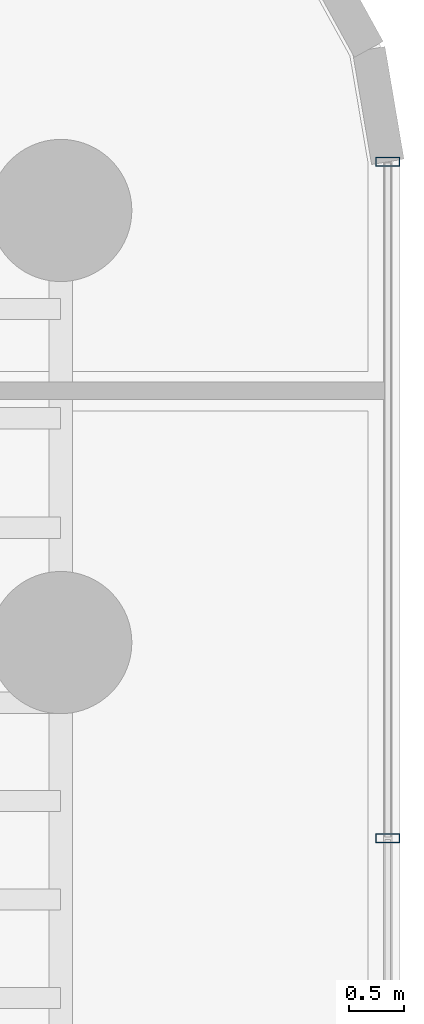
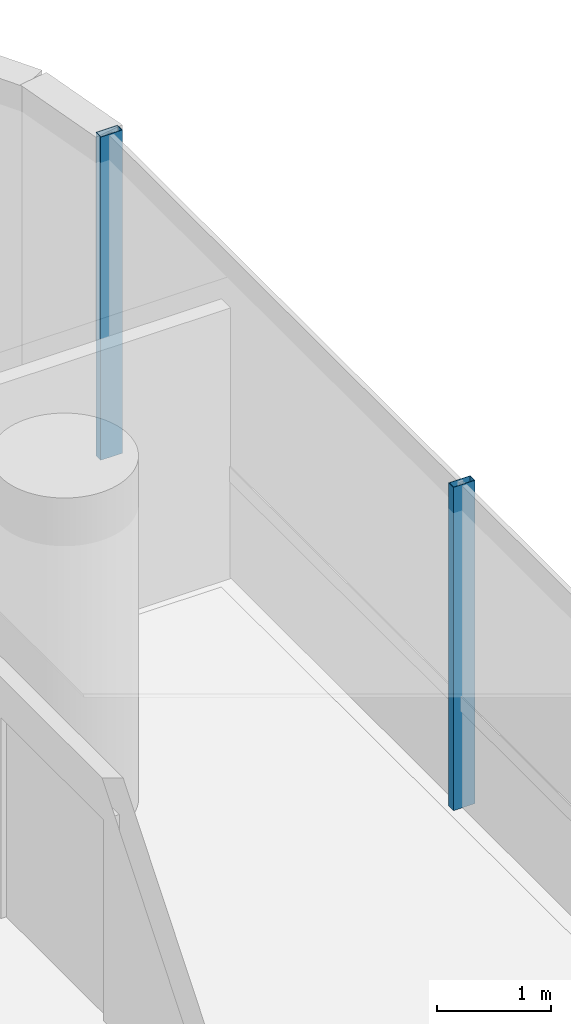
# One storey, part 28 of 42: 2 members, 1 element without a shape of its own.
"""IFC4 building model written with IfcOpenShell, lengths in metres."""

import ifcopenshell
import ifcopenshell.guid

model = None  # the IFC model being written
_history = None  # IfcOwnerHistory: only IFC2X3 demands one
_inside = {}  # id of a spatial element -> (the spatial element, [elements in it])
_under = {}  # id of a project, library or spatial element -> (it, [spatial elements below it])
_declared = {}  # id of a project -> (the project, [libraries it declares])
_typed = {}  # id of a type object -> (the type object, [elements of that type])
_made_of = {}  # id of a material, layer set ... -> (it, [elements and type objects made of it])


def new_model(schema):
    """Start an empty IFC model of exactly this schema.

    Asked for "IFC4X3", IfcOpenShell would pick the latest addendum, in which some entities
    have other attributes; the version numbers below select the first issue.
    IFC2X3 requires an IfcOwnerHistory on every rooted entity: one is made here for all.
    """
    global model, _history
    if schema == "IFC4X3":
        model = ifcopenshell.file(schema_version=(4, 3, 0, 0))
    else:
        model = ifcopenshell.file(schema=schema)
    _inside.clear()
    _under.clear()
    _declared.clear()
    _typed.clear()
    _made_of.clear()
    _history = None
    if model.schema == "IFC2X3":
        org = make("IfcOrganization", Name="unknown")
        user = make(
            "IfcPersonAndOrganization",
            ThePerson=make("IfcPerson", FamilyName="unknown"),
            TheOrganization=org,
        )
        app = make(
            "IfcApplication",
            ApplicationDeveloper=org,
            Version="unknown",
            ApplicationFullName="unknown",
            ApplicationIdentifier="unknown",
        )
        _history = make(
            "IfcOwnerHistory",
            OwningUser=user,
            OwningApplication=app,
            ChangeAction="ADDED",
            CreationDate=0,
        )
    return model


def make(cls, **values):
    """One entity of the class cls with the attributes given. An attribute that is None is left unset."""
    return model.create_entity(
        cls, **{name: value for name, value in values.items() if value is not None}
    )


def rooted(cls, **values):
    """An entity with a GlobalId (a new one), such as an element, a storey or a relation."""
    return make(cls, GlobalId=ifcopenshell.guid.new(), OwnerHistory=_history, **values)


def si_unit(unit_type, name, prefix=None):
    """IfcSIUnit, for example si_unit("LENGTHUNIT", "METRE", prefix="MILLI")."""
    return make("IfcSIUnit", UnitType=unit_type, Prefix=prefix, Name=name)


def assignment(units):
    """IfcUnitAssignment: the units of a project."""
    return None if units is None else make("IfcUnitAssignment", Units=units)


def point(xyz):
    """IfcCartesianPoint."""
    return None if xyz is None else make("IfcCartesianPoint", Coordinates=xyz)


def direction(xyz):
    """IfcDirection."""
    return None if xyz is None else make("IfcDirection", DirectionRatios=xyz)


def frame(location, z_axis=None, x_axis=None):
    """IfcAxis2Placement3D, a coordinate frame: its origin and axes. An axis left out is left unset."""
    return make(
        "IfcAxis2Placement3D",
        Location=point(location),
        Axis=direction(z_axis),
        RefDirection=direction(x_axis),
    )


def frame_2d(location, x_axis=None):
    """IfcAxis2Placement2D, a coordinate frame in the plane: its origin and x axis."""
    return make(
        "IfcAxis2Placement2D", Location=point(location), RefDirection=direction(x_axis)
    )


def origin():
    """The frame at (0, 0, 0) with its axes left unset."""
    return frame((0.0, 0.0, 0.0))


def origin_2d():
    """The frame at (0, 0) in the plane with its x axis left unset."""
    return frame_2d((0.0, 0.0))


def place(relative_to, where):
    """IfcLocalPlacement: puts the frame where relative to a parent placement (None: the world)."""
    return make(
        "IfcLocalPlacement", PlacementRelTo=relative_to, RelativePlacement=where
    )


def context(
    kind, dimensions, precision=None, world=None, true_north=None, identifier=None
):
    """IfcGeometricRepresentationContext, for example the 3D "Model" context."""
    return make(
        "IfcGeometricRepresentationContext",
        ContextIdentifier=identifier,
        ContextType=kind,
        CoordinateSpaceDimension=dimensions,
        Precision=precision,
        WorldCoordinateSystem=world,
        TrueNorth=true_north,
    )


def subcontext(parent, identifier, kind, view, scale=None):
    """IfcGeometricRepresentationSubContext, for example "Body" below "Model"."""
    return make(
        "IfcGeometricRepresentationSubContext",
        ContextIdentifier=identifier,
        ContextType=kind,
        ParentContext=parent,
        TargetScale=scale,
        TargetView=view,
    )


def project(units=None, contexts=None):
    """IfcProject with its units and contexts."""
    return rooted(
        "IfcProject",
        Name="project",
        RepresentationContexts=contexts,
        UnitsInContext=assignment(units),
    )


def spatial(cls, under=None, at=None, **own):
    """A site, building, storey or space (cls), placed at a placement, below another one or the project."""
    s = rooted(cls, ObjectPlacement=at, **own)
    if under is not None:
        _under.setdefault(under.id(), (under, []))[1].append(s)
    return s


def profile(cls, at=None, kind="AREA", **sizes):
    """A parametric profile (cls). Its sizes go by their IFC names, for example OverallWidth=200.0."""
    return make(cls, ProfileType=kind, Position=at, **sizes)


def hollow_rectangle(**sizes):
    """IfcRectangleHollowProfileDef."""
    return profile("IfcRectangleHollowProfileDef", **sizes)


def extrude(swept, where, along, depth):
    """IfcExtrudedAreaSolid: the profile swept, set in the frame where, extruded along a direction by depth."""
    return make(
        "IfcExtrudedAreaSolid",
        SweptArea=swept,
        Position=where,
        ExtrudedDirection=direction(along),
        Depth=depth,
    )


def shape(context_of_items, identifier, shape_type, items):
    """IfcShapeRepresentation: the items that make up one representation, for example the "Body"."""
    return make(
        "IfcShapeRepresentation",
        ContextOfItems=context_of_items,
        RepresentationIdentifier=identifier,
        RepresentationType=shape_type,
        Items=items,
    )


def source(mapping_origin, context_of_items, identifier, shape_type, items):
    """IfcRepresentationMap: a shape defined once, which mapped items show again and again."""
    return make(
        "IfcRepresentationMap",
        MappingOrigin=mapping_origin,
        MappedRepresentation=shape(context_of_items, identifier, shape_type, items),
    )


def transform(
    local_origin,
    x_axis=None,
    y_axis=None,
    z_axis=None,
    scale=None,
    scale2=None,
    scale3=None,
    uniform=True,
):
    """IfcCartesianTransformationOperator3D, or its non-uniform kind. x_axis, y_axis, z_axis: its Axis1, 2, 3."""
    if uniform:
        return make(
            "IfcCartesianTransformationOperator3D",
            Axis1=direction(x_axis),
            Axis2=direction(y_axis),
            LocalOrigin=point(local_origin),
            Scale=scale,
            Axis3=direction(z_axis),
        )
    return make(
        "IfcCartesianTransformationOperator3DnonUniform",
        Axis1=direction(x_axis),
        Axis2=direction(y_axis),
        LocalOrigin=point(local_origin),
        Scale=scale,
        Axis3=direction(z_axis),
        Scale2=scale2,
        Scale3=scale3,
    )


def mapped(mapping_source, mapping_target):
    """IfcMappedItem: shows the shape of a source again, moved by a transform."""
    return make(
        "IfcMappedItem", MappingSource=mapping_source, MappingTarget=mapping_target
    )


def material(Name=None, Category=None):
    """IfcMaterial."""
    return make("IfcMaterial", Name=Name, Category=Category)


def material_profile(
    of_material, cross_section, Name=None, Category=None, Priority=None
):
    """IfcMaterialProfile: a cross section and its material."""
    return make(
        "IfcMaterialProfile",
        Name=Name,
        Material=of_material,
        Profile=cross_section,
        Priority=Priority,
        Category=Category,
    )


def profile_set(profiles, Name=None, composite=None):
    """IfcMaterialProfileSet."""
    return make(
        "IfcMaterialProfileSet",
        Name=Name,
        MaterialProfiles=profiles,
        CompositeProfile=composite,
    )


def made_of(thing, what):
    """Note that an element or type object is made of a material, layer set ...; save() writes the relation."""
    if what is not None:
        _made_of.setdefault(what.id(), (what, []))[1].append(thing)
    return thing


def type_object(cls, material=None, **own):
    """A type object (cls), such as IfcWallType, which elements share."""
    return made_of(rooted(cls, **own), material)


def element(
    cls,
    number,
    at=None,
    inside=None,
    cuts=None,
    type_object=None,
    material=None,
    context=None,
    identifier="Body",
    shape_type=None,
    held_by="IfcProductDefinitionShape",
    body=None,
    shapes=None,
    **own,
):
    """One element of the class cls, such as IfcWall. Its Tag is "e" and its number.

    at: its placement. inside: the storey or other place that contains it. cuts: it is an
    opening in that element (IfcRelVoidsElement). A single representation is given by context,
    identifier, shape_type and body (its items); several are given by shapes. held_by: the class
    of the entity that holds the representations. save() writes the other relations.
    """
    e = rooted(cls, Tag="e%d" % number, ObjectPlacement=at, **own)
    if body is not None:
        shapes = [shape(context, identifier, shape_type, body)]
    if shapes is not None:
        e.Representation = make(held_by, Representations=shapes)
    if inside is not None:
        _inside.setdefault(inside.id(), (inside, []))[1].append(e)
    if cuts is not None:
        rooted(
            "IfcRelVoidsElement", RelatingBuildingElement=cuts, RelatedOpeningElement=e
        )
    if type_object is not None:
        _typed.setdefault(type_object.id(), (type_object, []))[1].append(e)
    return made_of(e, material)


def aggregate(whole, parts):
    """IfcRelAggregates: a whole, such as a stair, and the parts it consists of."""
    return rooted("IfcRelAggregates", RelatingObject=whole, RelatedObjects=parts)


def save(model, path):
    """Write the relations noted so far, then the file.

    IfcRelAggregates (storeys below a building ...), IfcRelContainedInSpatialStructure (elements
    in a storey), IfcRelDefinesByType, IfcRelAssociatesMaterial and IfcRelDeclares: one each for
    every whole, place, type object, material and project.
    """
    for whole, parts in _under.values():
        aggregate(whole, parts)
    for where, things in _inside.values():
        rooted(
            "IfcRelContainedInSpatialStructure",
            RelatedElements=things,
            RelatingStructure=where,
        )
    for kind, things in _typed.values():
        rooted("IfcRelDefinesByType", RelatedObjects=things, RelatingType=kind)
    for what, things in _made_of.values():
        rooted("IfcRelAssociatesMaterial", RelatedObjects=things, RelatingMaterial=what)
    for by, libraries in _declared.values():
        rooted("IfcRelDeclares", RelatingContext=by, RelatedDefinitions=libraries)
    model.write(path)


model = new_model("IFC4")

# Units and contexts
model_context = context("Model", 3, precision=1e-05, world=origin(), true_north=direction((0.0, 1.0)))
body_context = subcontext(model_context, "Body", "Model", "MODEL_VIEW")
ifc_project = project(units=[si_unit("LENGTHUNIT", "METRE"), si_unit("AREAUNIT", "SQUARE_METRE"), si_unit("VOLUMEUNIT", "CUBIC_METRE"), si_unit("PLANEANGLEUNIT", "RADIAN"), si_unit("MASSUNIT", "GRAM", prefix="KILO")], contexts=[model_context])

# Site, building, storey
site_placement = place(None, origin())
site = spatial("IfcSite", under=ifc_project, at=site_placement, CompositionType="ELEMENT")
building_placement = place(site_placement, origin())
building = spatial("IfcBuilding", under=site, at=building_placement, Name="Valdorenza Pilgrim Sanctuary Tower", CompositionType="ELEMENT")
storey_placement = place(building_placement, frame((0.0, 0.0, 55.60009765625)))
storey = spatial("IfcBuildingStorey", under=building, at=storey_placement, Name="L13", CompositionType="ELEMENT", Elevation=55.60009765625)

# Curtain wall, members
ifc_material_1 = material(Name="Curtain-wall IGU glazing", Category="glass")
curtain_wall_type = type_object("IfcCurtainWallType", Name="CW-SYS-03", PredefinedType="NOTDEFINED", material=ifc_material_1)
curtain_wall_placement = place(storey_placement, origin())
curtain_wall = element("IfcCurtainWall", 1, at=curtain_wall_placement, inside=storey, type_object=curtain_wall_type, Name="L13 Curtain Wall CW-L13-1-21", PredefinedType="NOTDEFINED")
ifc_material_2 = material(Name="Anodised aluminium AW-6060", Category="aluminium")
ifc_material_profile = material_profile(ifc_material_2, hollow_rectangle(XDim=0.0849609375, YDim=0.219970703125, WallThickness=0.0048828125, at=origin_2d()), Name="ALU-M 220x85x5")
ifc_profile_set = profile_set([ifc_material_profile], Name="Anodised aluminium AW-6060")
member_type = type_object("IfcMemberType", Name="CW-MUL-03", PredefinedType="MULLION", material=ifc_profile_set)
shared_shape = source(origin(), body_context, "Body", "SweptSolid", [
    extrude(hollow_rectangle(XDim=0.0849609375, YDim=0.219970703125, WallThickness=0.0048828125, at=origin_2d()), origin(), (0.0, 0.0, 1.0), 3.4599609375),
])
member_1_placement = place(storey_placement, frame((31.389892578125, 13.945068359375, 0.0), z_axis=(0.0, 0.0, 1.0), x_axis=(0.0, -1.0, 0.0)))
member_1 = element("IfcMember", 2, at=member_1_placement, type_object=member_type, Name="CW-L13-1-21 Mullion 1", PredefinedType="MULLION", context=body_context, shape_type="MappedRepresentation", body=[
    mapped(shared_shape, transform((0.0, 0.0, 0.0), x_axis=(1.0, 0.0, 0.0), y_axis=(0.0, 1.0, 0.0), z_axis=(0.0, 0.0, 1.0), scale=1.0)),
])
member_2_placement = place(storey_placement, frame((31.389892578125, 7.761474609375, 0.0), z_axis=(0.0, 0.0, 1.0), x_axis=(0.0, -1.0, 0.0)))
member_2 = element("IfcMember", 3, at=member_2_placement, type_object=member_type, Name="CW-L13-1-21 Mullion 2", PredefinedType="MULLION", context=body_context, shape_type="MappedRepresentation", body=[
    mapped(shared_shape, transform((0.0, 0.0, 0.0), x_axis=(1.0, 0.0, 0.0), y_axis=(0.0, 1.0, 0.0), z_axis=(0.0, 0.0, 1.0), scale=1.0)),
])
aggregate(curtain_wall, [member_1, member_2])

save(model, "model.ifc")
